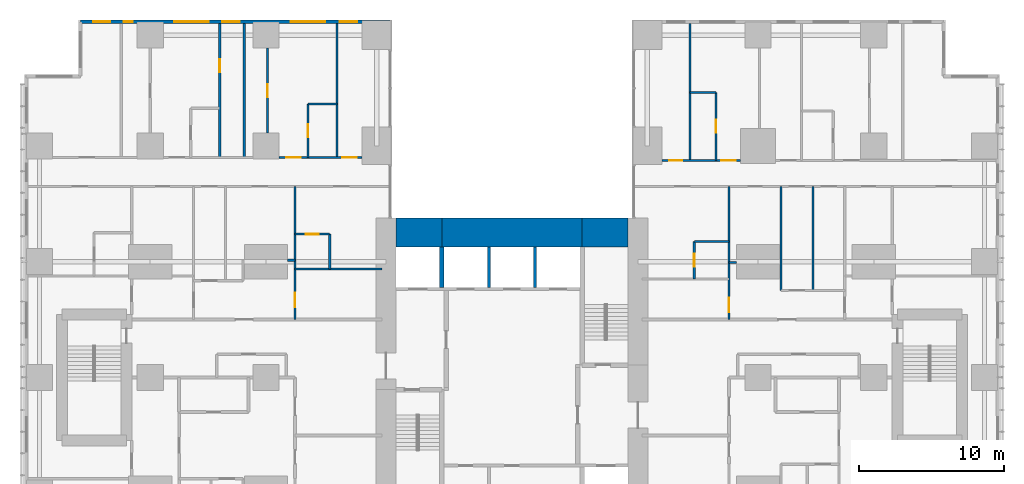
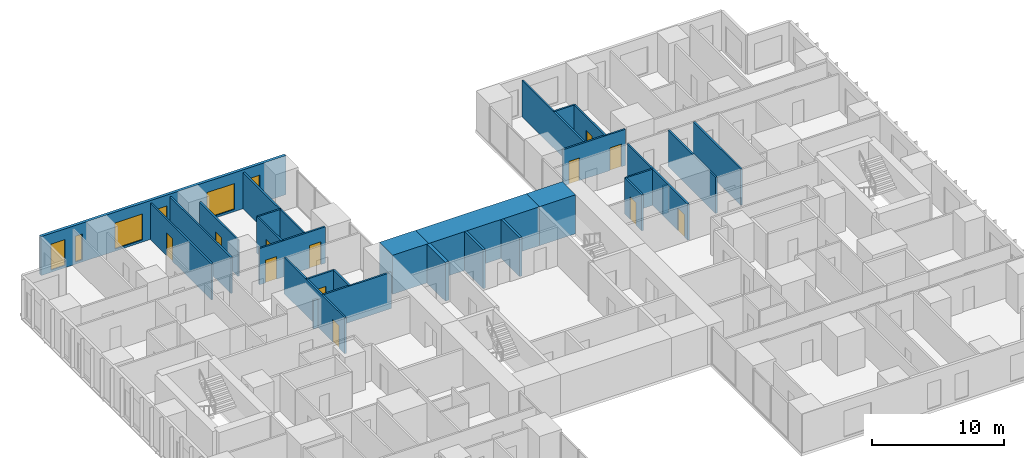
# One storey, part 17 of 20: 29 walls, 12 doors, 6 windows, 18 openings.
"""IFC4 building model written with IfcOpenShell, lengths in metres."""

from ifc_helpers import new_model, si_unit, direction, frame, frame_2d, origin, place, context, subcontext, project, spatial, rectangle, extrude, material, layer, layer_set, type_object, element, fill, save


model = new_model("IFC4")

# Units and contexts
model_context = context("Model", 3, precision=1e-05, world=origin(), true_north=direction((0.0, 1.0)))
body_context = subcontext(model_context, "Body", "Model", "MODEL_VIEW")
ifc_project = project(units=[si_unit("LENGTHUNIT", "METRE"), si_unit("AREAUNIT", "SQUARE_METRE"), si_unit("VOLUMEUNIT", "CUBIC_METRE"), si_unit("PLANEANGLEUNIT", "RADIAN"), si_unit("MASSUNIT", "GRAM", prefix="KILO")], contexts=[model_context])

# Site, building, storey
site_placement = place(None, origin())
site = spatial("IfcSite", under=ifc_project, at=site_placement, CompositionType="ELEMENT")
building_placement = place(site_placement, origin())
building = spatial("IfcBuilding", under=site, at=building_placement, Name="Cleftline Residences", CompositionType="ELEMENT")
storey_placement = place(building_placement, frame((0.0, 0.0, 207.39990234375)))
storey = spatial("IfcBuildingStorey", under=building, at=storey_placement, Name="L54", CompositionType="ELEMENT", Elevation=207.39990234375)

# Walls
ifc_material_1 = material(Name="Concrete B70", Category="concrete")
ifc_layer_1 = layer(ifc_material_1, 2.0)
ifc_layer_set_1 = layer_set([ifc_layer_1], Name="CORE WALL 2000")
wall_type_1 = type_object("IfcWallType", Name="CORE WALL 2000", PredefinedType="SHEAR", material=ifc_layer_set_1)
wall_1_placement = place(storey_placement, frame((25.0, 34.0, 0.0), z_axis=(0.0, 0.0, 1.0), x_axis=(1.0, 0.0, 0.0)))
element("IfcWall", 1, at=wall_1_placement, inside=storey, type_object=wall_type_1, Name="Core wall N1", PredefinedType="SHEAR", context=body_context, shape_type="SweptSolid", body=[
    extrude(rectangle(XDim=3.14990234375, YDim=2.0, at=frame_2d((1.574951171875, 0.0))), origin(), (0.0, 0.0, 1.0), 3.60009765625),
])
wall_2_placement = place(storey_placement, frame((28.14990234375, 34.0, 0.0), z_axis=(0.0, 0.0, 1.0), x_axis=(1.0, 0.0, 0.0)))
element("IfcWall", 2, at=wall_2_placement, inside=storey, type_object=wall_type_1, Name="Core wall N2", PredefinedType="SHEAR", context=body_context, shape_type="SweptSolid", body=[
    extrude(rectangle(XDim=9.7001953125, YDim=2.0, at=frame_2d((4.85009765625, 0.0))), origin(), (0.0, 0.0, 1.0), 3.60009765625),
])
wall_3_placement = place(storey_placement, frame((37.85009765625, 34.0, 0.0), z_axis=(0.0, 0.0, 1.0), x_axis=(1.0, 0.0, 0.0)))
element("IfcWall", 3, at=wall_3_placement, inside=storey, type_object=wall_type_1, Name="Core wall N3", PredefinedType="SHEAR", context=body_context, shape_type="SweptSolid", body=[
    extrude(rectangle(XDim=3.14990234375, YDim=2.0, at=frame_2d((1.574951171875, 0.0))), origin(), (0.0, 0.0, 1.0), 3.60009765625),
])
ifc_material_2 = material(Name="Concrete B70", Category="concrete")
ifc_layer_2 = layer(ifc_material_2, 0.300048828125)
ifc_layer_set_2 = layer_set([ifc_layer_2], Name="CORE WALL 300")
wall_type_2 = type_object("IfcWallType", Name="CORE WALL 300", PredefinedType="SHEAR", material=ifc_layer_set_2)
wall_4_placement = place(storey_placement, frame((28.14990234375, 30.199951171875, 0.0), z_axis=(0.0, 0.0, 1.0), x_axis=(0.0, 1.0, 0.0)))
element("IfcWall", 4, at=wall_4_placement, inside=storey, type_object=wall_type_2, Name="Lift shaft wall", PredefinedType="SHEAR", context=body_context, shape_type="SweptSolid", body=[
    extrude(rectangle(XDim=2.800048828125, YDim=0.300048828125, at=frame_2d((1.39990234375, 0.0))), origin(), (0.0, 0.0, 1.0), 3.60009765625),
])

# Wall, openings, windows
ifc_material_3 = material(Name="Rendered reinforced concrete blockwork", Category="masonry")
ifc_layer_3 = layer(ifc_material_3, 0.25)
ifc_layer_set_3 = layer_set([ifc_layer_3], Name="EXTERNAL WALL 250")
wall_type_3 = type_object("IfcWallType", Name="EXTERNAL WALL 250", PredefinedType="SOLIDWALL", material=ifc_layer_set_3)
wall_5_placement = place(storey_placement, frame((24.574951171875, 48.574951171875, 0.0), z_axis=(0.0, 0.0, 1.0), x_axis=(-1.0, 0.0, 0.0)))
wall_5 = element("IfcWall", 5, at=wall_5_placement, inside=storey, type_object=wall_type_3, Name="External wall", PredefinedType="SOLIDWALL", context=body_context, shape_type="SweptSolid", body=[
    extrude(rectangle(XDim=21.39990234375, YDim=0.25, at=frame_2d((10.699951171875, 0.0))), origin(), (0.0, 0.0, 1.0), 3.60009765625),
])
opening_1_placement = place(wall_5_placement, frame((2.27490234375, 0.0, 0.199951171875)))
opening_1 = element("IfcOpeningElement", 6, at=opening_1_placement, cuts=wall_5, Name="Opening W13", PredefinedType="OPENING", context=body_context, shape_type="SweptSolid", body=[
    extrude(rectangle(XDim=1.199951171875, YDim=2.39990234375, at=frame_2d((0.60009765625, 1.199951171875))), frame((0.0, 0.135009765625, 0.0), z_axis=(0.0, -1.0, 0.0), x_axis=(1.0, 0.0, 0.0)), (0.0, 0.0, 1.0), 0.27001953125),
])
opening_2_placement = place(wall_5_placement, frame((4.47509765625, 0.0, 0.199951171875)))
opening_2 = element("IfcOpeningElement", 7, at=opening_2_placement, cuts=wall_5, Name="Opening W9", PredefinedType="OPENING", context=body_context, shape_type="SweptSolid", body=[
    extrude(rectangle(XDim=2.39990234375, YDim=2.39990234375, at=frame_2d((1.199951171875, 1.199951171875))), frame((0.0, 0.135009765625, 0.0), z_axis=(0.0, -1.0, 0.0), x_axis=(1.0, 0.0, 0.0)), (0.0, 0.0, 1.0), 0.27001953125),
])
opening_3_placement = place(wall_5_placement, frame((10.39990234375, 0.0, 0.199951171875)))
opening_3 = element("IfcOpeningElement", 8, at=opening_3_placement, cuts=wall_5, Name="Opening W13", PredefinedType="OPENING", context=body_context, shape_type="SweptSolid", body=[
    extrude(rectangle(XDim=1.199951171875, YDim=2.39990234375, at=frame_2d((0.60009765625, 1.199951171875))), frame((0.0, 0.135009765625, 0.0), z_axis=(0.0, -1.0, 0.0), x_axis=(1.0, 0.0, 0.0)), (0.0, 0.0, 1.0), 0.27001953125),
])
opening_4_placement = place(wall_5_placement, frame((12.52490234375, 0.0, 0.199951171875)))
opening_4 = element("IfcOpeningElement", 9, at=opening_4_placement, cuts=wall_5, Name="Opening W9", PredefinedType="OPENING", context=body_context, shape_type="SweptSolid", body=[
    extrude(rectangle(XDim=2.39990234375, YDim=2.39990234375, at=frame_2d((1.199951171875, 1.199951171875))), frame((0.0, 0.135009765625, 0.0), z_axis=(0.0, -1.0, 0.0), x_axis=(1.0, 0.0, 0.0)), (0.0, 0.0, 1.0), 0.27001953125),
])
opening_5_placement = place(wall_5_placement, frame((17.800048828125, 0.0, 0.199951171875)))
opening_5 = element("IfcOpeningElement", 10, at=opening_5_placement, cuts=wall_5, Name="Opening W14", PredefinedType="OPENING", context=body_context, shape_type="SweptSolid", body=[
    extrude(rectangle(XDim=0.60009765625, YDim=2.39990234375, at=frame_2d((0.300048828125, 1.199951171875))), frame((0.0, 0.135009765625, 0.0), z_axis=(0.0, -1.0, 0.0), x_axis=(1.0, 0.0, 0.0)), (0.0, 0.0, 1.0), 0.27001953125),
])
opening_6_placement = place(wall_5_placement, frame((19.324951171875, 0.0, 0.199951171875)))
opening_6 = element("IfcOpeningElement", 11, at=opening_6_placement, cuts=wall_5, Name="Opening W13", PredefinedType="OPENING", context=body_context, shape_type="SweptSolid", body=[
    extrude(rectangle(XDim=1.199951171875, YDim=2.39990234375, at=frame_2d((0.60009765625, 1.199951171875))), frame((0.0, 0.135009765625, 0.0), z_axis=(0.0, -1.0, 0.0), x_axis=(1.0, 0.0, 0.0)), (0.0, 0.0, 1.0), 0.27001953125),
])
ifc_material_4 = material(Name="Aluminium frame, clear double glazing", Category="aluminium")
window_type_1 = type_object("IfcWindowType", Name="WINDOW 1200X2400", PartitioningType="DOUBLE_PANEL_VERTICAL", PredefinedType="WINDOW", material=ifc_material_4)
window_1_placement = place(opening_1_placement, origin())
window_1 = element("IfcWindow", 12, at=window_1_placement, inside=storey, type_object=window_type_1, Name="Window", OverallHeight=2.39990234375, OverallWidth=1.199951171875, PartitioningType="SINGLE_PANEL", PredefinedType="WINDOW", context=body_context, shape_type="SweptSolid", body=[
    extrude(rectangle(XDim=1.199951171875, YDim=2.39990234375, at=frame_2d((0.60009765625, 1.199951171875))), frame((0.0, 0.030029296875, 0.0), z_axis=(0.0, -1.0, 0.0), x_axis=(1.0, 0.0, 0.0)), (0.0, 0.0, 1.0), 0.06005859375),
])
fill(opening_1, window_1)
window_2_placement = place(opening_3_placement, origin())
window_2 = element("IfcWindow", 13, at=window_2_placement, inside=storey, type_object=window_type_1, Name="Window", OverallHeight=2.39990234375, OverallWidth=1.199951171875, PartitioningType="SINGLE_PANEL", PredefinedType="WINDOW", context=body_context, shape_type="SweptSolid", body=[
    extrude(rectangle(XDim=1.199951171875, YDim=2.39990234375, at=frame_2d((0.60009765625, 1.199951171875))), frame((0.0, 0.030029296875, 0.0), z_axis=(0.0, -1.0, 0.0), x_axis=(1.0, 0.0, 0.0)), (0.0, 0.0, 1.0), 0.06005859375),
])
fill(opening_3, window_2)
window_3_placement = place(opening_6_placement, origin())
window_3 = element("IfcWindow", 14, at=window_3_placement, inside=storey, type_object=window_type_1, Name="Window", OverallHeight=2.39990234375, OverallWidth=1.199951171875, PartitioningType="SINGLE_PANEL", PredefinedType="WINDOW", context=body_context, shape_type="SweptSolid", body=[
    extrude(rectangle(XDim=1.199951171875, YDim=2.39990234375, at=frame_2d((0.60009765625, 1.199951171875))), frame((0.0, 0.030029296875, 0.0), z_axis=(0.0, -1.0, 0.0), x_axis=(1.0, 0.0, 0.0)), (0.0, 0.0, 1.0), 0.06005859375),
])
fill(opening_6, window_3)
ifc_material_5 = material(Name="Aluminium frame, clear double glazing", Category="aluminium")
window_type_2 = type_object("IfcWindowType", Name="WINDOW 2400X2400", PartitioningType="DOUBLE_PANEL_VERTICAL", PredefinedType="WINDOW", material=ifc_material_5)
window_4_placement = place(opening_2_placement, origin())
window_4 = element("IfcWindow", 15, at=window_4_placement, inside=storey, type_object=window_type_2, Name="Window", OverallHeight=2.39990234375, OverallWidth=2.39990234375, PartitioningType="SINGLE_PANEL", PredefinedType="WINDOW", context=body_context, shape_type="SweptSolid", body=[
    extrude(rectangle(XDim=2.39990234375, YDim=2.39990234375, at=frame_2d((1.199951171875, 1.199951171875))), frame((0.0, 0.030029296875, 0.0), z_axis=(0.0, -1.0, 0.0), x_axis=(1.0, 0.0, 0.0)), (0.0, 0.0, 1.0), 0.06005859375),
])
fill(opening_2, window_4)
window_5_placement = place(opening_4_placement, origin())
window_5 = element("IfcWindow", 16, at=window_5_placement, inside=storey, type_object=window_type_2, Name="Window", OverallHeight=2.39990234375, OverallWidth=2.39990234375, PartitioningType="SINGLE_PANEL", PredefinedType="WINDOW", context=body_context, shape_type="SweptSolid", body=[
    extrude(rectangle(XDim=2.39990234375, YDim=2.39990234375, at=frame_2d((1.199951171875, 1.199951171875))), frame((0.0, 0.030029296875, 0.0), z_axis=(0.0, -1.0, 0.0), x_axis=(1.0, 0.0, 0.0)), (0.0, 0.0, 1.0), 0.06005859375),
])
fill(opening_4, window_5)
ifc_material_6 = material(Name="Aluminium frame, clear double glazing", Category="aluminium")
window_type_3 = type_object("IfcWindowType", Name="WINDOW 600X2400", PartitioningType="DOUBLE_PANEL_VERTICAL", PredefinedType="WINDOW", material=ifc_material_6)
window_6_placement = place(opening_5_placement, origin())
window_6 = element("IfcWindow", 17, at=window_6_placement, inside=storey, type_object=window_type_3, Name="Window", OverallHeight=2.39990234375, OverallWidth=0.60009765625, PartitioningType="SINGLE_PANEL", PredefinedType="WINDOW", context=body_context, shape_type="SweptSolid", body=[
    extrude(rectangle(XDim=0.60009765625, YDim=2.39990234375, at=frame_2d((0.300048828125, 1.199951171875))), frame((0.0, 0.030029296875, 0.0), z_axis=(0.0, -1.0, 0.0), x_axis=(1.0, 0.0, 0.0)), (0.0, 0.0, 1.0), 0.06005859375),
])
fill(opening_5, window_6)

# Walls
ifc_material_7 = material(Name="Gypsum board on steel studs", Category="steel")
ifc_layer_4 = layer(ifc_material_7, 0.14990234375)
ifc_layer_set_4 = layer_set([ifc_layer_4], Name="PARTITION 150")
wall_type_4 = type_object("IfcWallType", Name="PARTITION 150", PredefinedType="PARTITIONING", material=ifc_layer_set_4)
wall_6_placement = place(storey_placement, frame((18.0, 31.5, 0.0), z_axis=(0.0, 0.0, 1.0), x_axis=(1.0, 0.0, 0.0)))
element("IfcWall", 18, at=wall_6_placement, inside=storey, type_object=wall_type_4, Name="Partition", PredefinedType="PARTITIONING", context=body_context, shape_type="SweptSolid", body=[
    extrude(rectangle(XDim=6.0, YDim=0.14990234375, at=frame_2d((3.0, 0.0))), origin(), (0.0, 0.0, 1.0), 3.35009765625),
])
for number, where, z_axis, x_axis, name in (
    (19, (48.0, 31.949951171875, 0.0), (0.0, 0.0, 1.0), (1.0, 0.0, 0.0), "Partition"),
    (20, (17.5, 32.10009765625, 0.0), (0.0, 0.0, 1.0), (1.0, 0.0, 0.0), "Partition"),
):
    element("IfcWall", number, at=place(storey_placement, frame(where, z_axis=z_axis, x_axis=x_axis)), inside=storey, type_object=wall_type_4, Name=name, PredefinedType="PARTITIONING", context=body_context, shape_type="SweptSolid", body=[
        extrude(rectangle(XDim=0.5, YDim=0.14990234375, at=frame_2d((0.25, 0.0))), origin(), (0.0, 0.0, 1.0), 2.634033203125),
    ])
wall_7_placement = place(storey_placement, frame((45.60009765625, 33.39990234375, 0.0), z_axis=(0.0, 0.0, 1.0), x_axis=(1.0, 0.0, 0.0)))
element("IfcWall", 21, at=wall_7_placement, inside=storey, type_object=wall_type_4, Name="Partition", PredefinedType="PARTITIONING", context=body_context, shape_type="SweptSolid", body=[
    extrude(rectangle(XDim=2.39990234375, YDim=0.14990234375, at=frame_2d((1.199951171875, 0.0))), origin(), (0.0, 0.0, 1.0), 3.35009765625),
])

# Wall, opening, door
wall_8_placement = place(storey_placement, frame((18.0, 33.89990234375, 0.0), z_axis=(0.0, 0.0, 1.0), x_axis=(1.0, 0.0, 0.0)))
wall_8 = element("IfcWall", 22, at=wall_8_placement, inside=storey, type_object=wall_type_4, Name="Partition", PredefinedType="PARTITIONING", context=body_context, shape_type="SweptSolid", body=[
    extrude(rectangle(XDim=2.39990234375, YDim=0.14990234375, at=frame_2d((1.199951171875, 0.0))), origin(), (0.0, 0.0, 1.0), 3.35009765625),
])
opening_7_placement = place(wall_8_placement, frame((0.75, 0.0, 0.0)))
opening_7 = element("IfcOpeningElement", 23, at=opening_7_placement, cuts=wall_8, Name="Opening D1", PredefinedType="OPENING", context=body_context, shape_type="SweptSolid", body=[
    extrude(rectangle(XDim=0.89990234375, YDim=2.10009765625, at=frame_2d((0.449951171875, 1.050048828125))), frame((0.0, 0.0849609375, 0.0), z_axis=(0.0, -1.0, 0.0), x_axis=(1.0, 0.0, 0.0)), (0.0, 0.0, 1.0), 0.169921875),
])
ifc_material_8 = material(Name="Timber veneer on solid core", Category="wood")
door_type_1 = type_object("IfcDoorType", Name="DOOR 900X2100", OperationType="SINGLE_SWING_LEFT", PredefinedType="DOOR", material=ifc_material_8)
door_1_placement = place(opening_7_placement, origin())
door_1 = element("IfcDoor", 24, at=door_1_placement, inside=storey, type_object=door_type_1, Name="Door to staff shower room", OperationType="SINGLE_SWING_LEFT", OverallHeight=2.10009765625, OverallWidth=0.89990234375, PredefinedType="DOOR", context=body_context, shape_type="SweptSolid", body=[
    extrude(rectangle(XDim=0.89990234375, YDim=2.10009765625, at=frame_2d((0.449951171875, 1.050048828125))), frame((0.0, 0.02490234375, 0.0), z_axis=(0.0, -1.0, 0.0), x_axis=(1.0, 0.0, 0.0)), (0.0, 0.0, 1.0), 0.050048828125),
])
fill(opening_7, door_1)

# Wall, openings, doors
wall_9_placement = place(storey_placement, frame((43.35009765625, 39.0, 0.0), z_axis=(0.0, 0.0, 1.0), x_axis=(1.0, 0.0, 0.0)))
wall_9 = element("IfcWall", 25, at=wall_9_placement, inside=storey, type_object=wall_type_4, Name="Partition", PredefinedType="PARTITIONING", context=body_context, shape_type="SweptSolid", body=[
    extrude(rectangle(XDim=5.449951171875, YDim=0.14990234375, at=frame_2d((2.72509765625, 0.0))), origin(), (0.0, 0.0, 1.0), 3.35009765625),
])
opening_8_placement = place(wall_9_placement, frame((4.10009765625, 0.0, 0.0)))
opening_8 = element("IfcOpeningElement", 26, at=opening_8_placement, cuts=wall_9, Name="Opening D2", PredefinedType="OPENING", context=body_context, shape_type="SweptSolid", body=[
    extrude(rectangle(XDim=1.0, YDim=2.10009765625, at=frame_2d((0.5, 1.050048828125))), frame((0.0, 0.0849609375, 0.0), z_axis=(0.0, -1.0, 0.0), x_axis=(1.0, 0.0, 0.0)), (0.0, 0.0, 1.0), 0.169921875),
])
opening_9_placement = place(wall_9_placement, frame((0.52490234375, 0.0, 0.0)))
opening_9 = element("IfcOpeningElement", 27, at=opening_9_placement, cuts=wall_9, Name="Opening D1", PredefinedType="OPENING", context=body_context, shape_type="SweptSolid", body=[
    extrude(rectangle(XDim=0.89990234375, YDim=2.10009765625, at=frame_2d((0.449951171875, 1.050048828125))), frame((0.0, 0.0849609375, 0.0), z_axis=(0.0, -1.0, 0.0), x_axis=(1.0, 0.0, 0.0)), (0.0, 0.0, 1.0), 0.169921875),
])
ifc_material_9 = material(Name="Timber veneer on solid core", Category="wood")
door_type_2 = type_object("IfcDoorType", Name="DOOR 1000X2100", OperationType="SINGLE_SWING_LEFT", PredefinedType="DOOR", material=ifc_material_9)
door_2_placement = place(opening_8_placement, origin())
door_2 = element("IfcDoor", 28, at=door_2_placement, inside=storey, type_object=door_type_2, Name="Door to bedroom 3", OperationType="SINGLE_SWING_LEFT", OverallHeight=2.10009765625, OverallWidth=1.0, PredefinedType="DOOR", context=body_context, shape_type="SweptSolid", body=[
    extrude(rectangle(XDim=1.0, YDim=2.10009765625, at=frame_2d((0.5, 1.050048828125))), frame((0.0, 0.02490234375, 0.0), z_axis=(0.0, -1.0, 0.0), x_axis=(1.0, 0.0, 0.0)), (0.0, 0.0, 1.0), 0.050048828125),
])
fill(opening_8, door_2)
door_3_placement = place(opening_9_placement, origin())
door_3 = element("IfcDoor", 29, at=door_3_placement, inside=storey, type_object=door_type_1, Name="Door to dressing room", OperationType="SINGLE_SWING_RIGHT", OverallHeight=2.10009765625, OverallWidth=0.89990234375, PredefinedType="DOOR", context=body_context, shape_type="SweptSolid", body=[
    extrude(rectangle(XDim=0.89990234375, YDim=2.10009765625, at=frame_2d((0.449951171875, 1.050048828125))), frame((0.0, 0.02490234375, 0.0), z_axis=(0.0, -1.0, 0.0), x_axis=(1.0, 0.0, 0.0)), (0.0, 0.0, 1.0), 0.050048828125),
])
fill(opening_9, door_3)

wall_10_placement = place(storey_placement, frame((16.89990234375, 39.199951171875, 0.0), z_axis=(0.0, 0.0, 1.0), x_axis=(1.0, 0.0, 0.0)))
wall_10 = element("IfcWall", 30, at=wall_10_placement, inside=storey, type_object=wall_type_4, Name="Partition", PredefinedType="PARTITIONING", context=body_context, shape_type="SweptSolid", body=[
    extrude(rectangle(XDim=5.75, YDim=0.14990234375, at=frame_2d((2.875, 0.0))), origin(), (0.0, 0.0, 1.0), 3.35009765625),
])
opening_10_placement = place(wall_10_placement, frame((0.5, 0.0, 0.0)))
opening_10 = element("IfcOpeningElement", 31, at=opening_10_placement, cuts=wall_10, Name="Opening D2", PredefinedType="OPENING", context=body_context, shape_type="SweptSolid", body=[
    extrude(rectangle(XDim=1.0, YDim=2.10009765625, at=frame_2d((0.5, 1.050048828125))), frame((0.0, 0.0849609375, 0.0), z_axis=(0.0, -1.0, 0.0), x_axis=(1.0, 0.0, 0.0)), (0.0, 0.0, 1.0), 0.169921875),
])
opening_11_placement = place(wall_10_placement, frame((4.375, 0.0, 0.0)))
opening_11 = element("IfcOpeningElement", 32, at=opening_11_placement, cuts=wall_10, Name="Opening D2", PredefinedType="OPENING", context=body_context, shape_type="SweptSolid", body=[
    extrude(rectangle(XDim=1.0, YDim=2.10009765625, at=frame_2d((0.5, 1.050048828125))), frame((0.0, 0.0849609375, 0.0), z_axis=(0.0, -1.0, 0.0), x_axis=(1.0, 0.0, 0.0)), (0.0, 0.0, 1.0), 0.169921875),
])
door_4_placement = place(opening_10_placement, origin())
door_4 = element("IfcDoor", 33, at=door_4_placement, inside=storey, type_object=door_type_2, Name="Door to bedroom 3", OperationType="SINGLE_SWING_RIGHT", OverallHeight=2.10009765625, OverallWidth=1.0, PredefinedType="DOOR", context=body_context, shape_type="SweptSolid", body=[
    extrude(rectangle(XDim=1.0, YDim=2.10009765625, at=frame_2d((0.5, 1.050048828125))), frame((0.0, 0.02490234375, 0.0), z_axis=(0.0, -1.0, 0.0), x_axis=(1.0, 0.0, 0.0)), (0.0, 0.0, 1.0), 0.050048828125),
])
fill(opening_10, door_4)
door_5_placement = place(opening_11_placement, origin())
door_5 = element("IfcDoor", 34, at=door_5_placement, inside=storey, type_object=door_type_2, Name="Door to bedroom 3 sitting room", OperationType="SINGLE_SWING_LEFT", OverallHeight=2.10009765625, OverallWidth=1.0, PredefinedType="DOOR", context=body_context, shape_type="SweptSolid", body=[
    extrude(rectangle(XDim=1.0, YDim=2.10009765625, at=frame_2d((0.5, 1.050048828125))), frame((0.0, 0.02490234375, 0.0), z_axis=(0.0, -1.0, 0.0), x_axis=(1.0, 0.0, 0.0)), (0.0, 0.0, 1.0), 0.050048828125),
])
fill(opening_11, door_5)

# Walls
wall_11_placement = place(storey_placement, frame((18.89990234375, 42.89990234375, 0.0), z_axis=(0.0, 0.0, 1.0), x_axis=(1.0, 0.0, 0.0)))
element("IfcWall", 35, at=wall_11_placement, inside=storey, type_object=wall_type_4, Name="Partition", PredefinedType="PARTITIONING", context=body_context, shape_type="SweptSolid", body=[
    extrude(rectangle(XDim=2.0, YDim=0.14990234375, at=frame_2d((1.0, 0.0))), origin(), (0.0, 0.0, 1.0), 3.35009765625),
])
wall_12_placement = place(storey_placement, frame((45.300048828125, 43.699951171875, 0.0), z_axis=(0.0, 0.0, 1.0), x_axis=(1.0, 0.0, 0.0)))
element("IfcWall", 36, at=wall_12_placement, inside=storey, type_object=wall_type_4, Name="Partition", PredefinedType="PARTITIONING", context=body_context, shape_type="SweptSolid", body=[
    extrude(rectangle(XDim=1.800048828125, YDim=0.14990234375, at=frame_2d((0.89990234375, 0.0))), origin(), (0.0, 0.0, 1.0), 3.35009765625),
])

# Wall, opening, door
wall_13_placement = place(storey_placement, frame((12.800048828125, 39.199951171875, 0.0), z_axis=(0.0, 0.0, 1.0), x_axis=(0.0, 1.0, 0.0)))
wall_13 = element("IfcWall", 37, at=wall_13_placement, inside=storey, type_object=wall_type_4, Name="Partition", PredefinedType="PARTITIONING", context=body_context, shape_type="SweptSolid", body=[
    extrude(rectangle(XDim=9.25, YDim=0.14990234375, at=frame_2d((4.625, 0.0))), origin(), (0.0, 0.0, 1.0), 3.35009765625),
])
opening_12_placement = place(wall_13_placement, frame((5.875, 0.0, 0.0)))
opening_12 = element("IfcOpeningElement", 38, at=opening_12_placement, cuts=wall_13, Name="Opening D1", PredefinedType="OPENING", context=body_context, shape_type="SweptSolid", body=[
    extrude(rectangle(XDim=0.89990234375, YDim=2.10009765625, at=frame_2d((0.449951171875, 1.050048828125))), frame((0.0, 0.0849609375, 0.0), z_axis=(0.0, -1.0, 0.0), x_axis=(1.0, 0.0, 0.0)), (0.0, 0.0, 1.0), 0.169921875),
])
door_6_placement = place(opening_12_placement, origin())
door_6 = element("IfcDoor", 39, at=door_6_placement, inside=storey, type_object=door_type_1, Name="Door to walk-in wardrobe", OperationType="SINGLE_SWING_LEFT", OverallHeight=2.10009765625, OverallWidth=0.89990234375, PredefinedType="DOOR", context=body_context, shape_type="SweptSolid", body=[
    extrude(rectangle(XDim=0.89990234375, YDim=2.10009765625, at=frame_2d((0.449951171875, 1.050048828125))), frame((0.0, 0.02490234375, 0.0), z_axis=(0.0, -1.0, 0.0), x_axis=(1.0, 0.0, 0.0)), (0.0, 0.0, 1.0), 0.050048828125),
])
fill(opening_12, door_6)

# Wall
wall_14_placement = place(storey_placement, frame((14.5, 39.199951171875, 0.0), z_axis=(0.0, 0.0, 1.0), x_axis=(0.0, 1.0, 0.0)))
element("IfcWall", 40, at=wall_14_placement, inside=storey, type_object=wall_type_4, Name="Partition", PredefinedType="PARTITIONING", context=body_context, shape_type="SweptSolid", body=[
    extrude(rectangle(XDim=9.25, YDim=0.14990234375, at=frame_2d((4.625, 0.0))), origin(), (0.0, 0.0, 1.0), 3.35009765625),
])

# Wall, opening, door
wall_15_placement = place(storey_placement, frame((16.10009765625, 40.89990234375, 0.0), z_axis=(0.0, 0.0, 1.0), x_axis=(0.0, 1.0, 0.0)))
wall_15 = element("IfcWall", 41, at=wall_15_placement, inside=storey, type_object=wall_type_4, Name="Partition", PredefinedType="PARTITIONING", context=body_context, shape_type="SweptSolid", body=[
    extrude(rectangle(XDim=5.85009765625, YDim=0.14990234375, at=frame_2d((2.925048828125, 0.0))), origin(), (0.0, 0.0, 1.0), 3.35009765625),
])
opening_13_placement = place(wall_15_placement, frame((2.47509765625, 0.0, 0.0)))
opening_13 = element("IfcOpeningElement", 42, at=opening_13_placement, cuts=wall_15, Name="Opening D1", PredefinedType="OPENING", context=body_context, shape_type="SweptSolid", body=[
    extrude(rectangle(XDim=0.89990234375, YDim=2.10009765625, at=frame_2d((0.449951171875, 1.050048828125))), frame((0.0, 0.0849609375, 0.0), z_axis=(0.0, -1.0, 0.0), x_axis=(1.0, 0.0, 0.0)), (0.0, 0.0, 1.0), 0.169921875),
])
door_7_placement = place(opening_13_placement, origin())
door_7 = element("IfcDoor", 43, at=door_7_placement, inside=storey, type_object=door_type_1, Name="Door to walk-in wardrobe", OperationType="SINGLE_SWING_LEFT", OverallHeight=2.10009765625, OverallWidth=0.89990234375, PredefinedType="DOOR", context=body_context, shape_type="SweptSolid", body=[
    extrude(rectangle(XDim=0.89990234375, YDim=2.10009765625, at=frame_2d((0.449951171875, 1.050048828125))), frame((0.0, 0.02490234375, 0.0), z_axis=(0.0, -1.0, 0.0), x_axis=(1.0, 0.0, 0.0)), (0.0, 0.0, 1.0), 0.050048828125),
])
fill(opening_13, door_7)

wall_16_placement = place(storey_placement, frame((18.0, 28.0, 0.0), z_axis=(0.0, 0.0, 1.0), x_axis=(0.0, 1.0, 0.0)))
wall_16 = element("IfcWall", 44, at=wall_16_placement, inside=storey, type_object=wall_type_4, Name="Partition", PredefinedType="PARTITIONING", context=body_context, shape_type="SweptSolid", body=[
    extrude(rectangle(XDim=9.199951171875, YDim=0.14990234375, at=frame_2d((4.60009765625, 0.0))), origin(), (0.0, 0.0, 1.0), 3.35009765625),
])
opening_14_placement = place(wall_16_placement, frame((0.83740234375, 0.0, 0.0)))
opening_14 = element("IfcOpeningElement", 45, at=opening_14_placement, cuts=wall_16, Name="Opening D2", PredefinedType="OPENING", context=body_context, shape_type="SweptSolid", body=[
    extrude(rectangle(XDim=1.0, YDim=2.10009765625, at=frame_2d((0.5, 1.050048828125))), frame((0.0, 0.0849609375, 0.0), z_axis=(0.0, -1.0, 0.0), x_axis=(1.0, 0.0, 0.0)), (0.0, 0.0, 1.0), 0.169921875),
])
door_8_placement = place(opening_14_placement, origin())
door_8 = element("IfcDoor", 46, at=door_8_placement, inside=storey, type_object=door_type_2, Name="Door to morning kitchen", OperationType="SINGLE_SWING_RIGHT", OverallHeight=2.10009765625, OverallWidth=1.0, PredefinedType="DOOR", context=body_context, shape_type="SweptSolid", body=[
    extrude(rectangle(XDim=1.0, YDim=2.10009765625, at=frame_2d((0.5, 1.050048828125))), frame((0.0, 0.02490234375, 0.0), z_axis=(0.0, -1.0, 0.0), x_axis=(1.0, 0.0, 0.0)), (0.0, 0.0, 1.0), 0.050048828125),
])
fill(opening_14, door_8)

wall_17_placement = place(storey_placement, frame((18.89990234375, 39.199951171875, 0.0), z_axis=(0.0, 0.0, 1.0), x_axis=(0.0, 1.0, 0.0)))
wall_17 = element("IfcWall", 47, at=wall_17_placement, inside=storey, type_object=wall_type_4, Name="Partition", PredefinedType="PARTITIONING", context=body_context, shape_type="SweptSolid", body=[
    extrude(rectangle(XDim=3.699951171875, YDim=0.14990234375, at=frame_2d((1.85009765625, 0.0))), origin(), (0.0, 0.0, 1.0), 3.35009765625),
])
opening_15_placement = place(wall_17_placement, frame((1.39990234375, 0.0, 0.0)))
opening_15 = element("IfcOpeningElement", 48, at=opening_15_placement, cuts=wall_17, Name="Opening D1", PredefinedType="OPENING", context=body_context, shape_type="SweptSolid", body=[
    extrude(rectangle(XDim=0.89990234375, YDim=2.10009765625, at=frame_2d((0.449951171875, 1.050048828125))), frame((0.0, 0.0849609375, 0.0), z_axis=(0.0, -1.0, 0.0), x_axis=(1.0, 0.0, 0.0)), (0.0, 0.0, 1.0), 0.169921875),
])
door_9_placement = place(opening_15_placement, origin())
door_9 = element("IfcDoor", 49, at=door_9_placement, inside=storey, type_object=door_type_1, Name="Door to en-suite bathroom 3", OperationType="SINGLE_SWING_LEFT", OverallHeight=2.10009765625, OverallWidth=0.89990234375, PredefinedType="DOOR", context=body_context, shape_type="SweptSolid", body=[
    extrude(rectangle(XDim=0.89990234375, YDim=2.10009765625, at=frame_2d((0.449951171875, 1.050048828125))), frame((0.0, 0.02490234375, 0.0), z_axis=(0.0, -1.0, 0.0), x_axis=(1.0, 0.0, 0.0)), (0.0, 0.0, 1.0), 0.050048828125),
])
fill(opening_15, door_9)

# Walls
wall_18_placement = place(storey_placement, frame((20.39990234375, 31.5, 0.0), z_axis=(0.0, 0.0, 1.0), x_axis=(0.0, 1.0, 0.0)))
element("IfcWall", 50, at=wall_18_placement, inside=storey, type_object=wall_type_4, Name="Partition", PredefinedType="PARTITIONING", context=body_context, shape_type="SweptSolid", body=[
    extrude(rectangle(XDim=2.39990234375, YDim=0.14990234375, at=frame_2d((1.199951171875, 0.0))), origin(), (0.0, 0.0, 1.0), 3.35009765625),
])
wall_19_placement = place(storey_placement, frame((20.89990234375, 39.199951171875, 0.0), z_axis=(0.0, 0.0, 1.0), x_axis=(0.0, 1.0, 0.0)))
element("IfcWall", 51, at=wall_19_placement, inside=storey, type_object=wall_type_4, Name="Partition", PredefinedType="PARTITIONING", context=body_context, shape_type="SweptSolid", body=[
    extrude(rectangle(XDim=9.25, YDim=0.14990234375, at=frame_2d((4.625, 0.0))), origin(), (0.0, 0.0, 1.0), 3.35009765625),
])
wall_20_placement = place(storey_placement, frame((45.300048828125, 39.0, 0.0), z_axis=(0.0, 0.0, 1.0), x_axis=(0.0, 1.0, 0.0)))
element("IfcWall", 52, at=wall_20_placement, inside=storey, type_object=wall_type_4, Name="Partition", PredefinedType="PARTITIONING", context=body_context, shape_type="SweptSolid", body=[
    extrude(rectangle(XDim=9.449951171875, YDim=0.14990234375, at=frame_2d((4.72509765625, 0.0))), origin(), (0.0, 0.0, 1.0), 3.35009765625),
])

# Wall, opening, door
wall_21_placement = place(storey_placement, frame((45.60009765625, 30.800048828125, 0.0), z_axis=(0.0, 0.0, 1.0), x_axis=(0.0, 1.0, 0.0)))
wall_21 = element("IfcWall", 53, at=wall_21_placement, inside=storey, type_object=wall_type_4, Name="Partition", PredefinedType="PARTITIONING", context=body_context, shape_type="SweptSolid", body=[
    extrude(rectangle(XDim=2.599853515625, YDim=0.14990234375, at=frame_2d((1.2998046875, 0.0))), origin(), (0.0, 0.0, 1.0), 3.35009765625),
])
opening_16_placement = place(wall_21_placement, frame((0.85009765625, 0.0, 0.0)))
opening_16 = element("IfcOpeningElement", 54, at=opening_16_placement, cuts=wall_21, Name="Opening D1", PredefinedType="OPENING", context=body_context, shape_type="SweptSolid", body=[
    extrude(rectangle(XDim=0.89990234375, YDim=2.10009765625, at=frame_2d((0.449951171875, 1.050048828125))), frame((0.0, 0.0849609375, 0.0), z_axis=(0.0, -1.0, 0.0), x_axis=(1.0, 0.0, 0.0)), (0.0, 0.0, 1.0), 0.169921875),
])
door_10_placement = place(opening_16_placement, origin())
door_10 = element("IfcDoor", 55, at=door_10_placement, inside=storey, type_object=door_type_1, Name="Door to en-suite bathroom 4", OperationType="SINGLE_SWING_LEFT", OverallHeight=2.10009765625, OverallWidth=0.89990234375, PredefinedType="DOOR", context=body_context, shape_type="SweptSolid", body=[
    extrude(rectangle(XDim=0.89990234375, YDim=2.10009765625, at=frame_2d((0.449951171875, 1.050048828125))), frame((0.0, 0.02490234375, 0.0), z_axis=(0.0, -1.0, 0.0), x_axis=(1.0, 0.0, 0.0)), (0.0, 0.0, 1.0), 0.050048828125),
])
fill(opening_16, door_10)

wall_22_placement = place(storey_placement, frame((47.10009765625, 39.0, 0.0), z_axis=(0.0, 0.0, 1.0), x_axis=(0.0, 1.0, 0.0)))
wall_22 = element("IfcWall", 56, at=wall_22_placement, inside=storey, type_object=wall_type_4, Name="Partition", PredefinedType="PARTITIONING", context=body_context, shape_type="SweptSolid", body=[
    extrude(rectangle(XDim=4.699951171875, YDim=0.14990234375, at=frame_2d((2.35009765625, 0.0))), origin(), (0.0, 0.0, 1.0), 3.35009765625),
])
opening_17_placement = place(wall_22_placement, frame((1.89990234375, 0.0, 0.0)))
opening_17 = element("IfcOpeningElement", 57, at=opening_17_placement, cuts=wall_22, Name="Opening D1", PredefinedType="OPENING", context=body_context, shape_type="SweptSolid", body=[
    extrude(rectangle(XDim=0.89990234375, YDim=2.10009765625, at=frame_2d((0.449951171875, 1.050048828125))), frame((0.0, 0.0849609375, 0.0), z_axis=(0.0, -1.0, 0.0), x_axis=(1.0, 0.0, 0.0)), (0.0, 0.0, 1.0), 0.169921875),
])
door_11_placement = place(opening_17_placement, origin())
door_11 = element("IfcDoor", 58, at=door_11_placement, inside=storey, type_object=door_type_1, Name="Door to en-suite bathroom 3", OperationType="SINGLE_SWING_LEFT", OverallHeight=2.10009765625, OverallWidth=0.89990234375, PredefinedType="DOOR", context=body_context, shape_type="SweptSolid", body=[
    extrude(rectangle(XDim=0.89990234375, YDim=2.10009765625, at=frame_2d((0.449951171875, 1.050048828125))), frame((0.0, 0.02490234375, 0.0), z_axis=(0.0, -1.0, 0.0), x_axis=(1.0, 0.0, 0.0)), (0.0, 0.0, 1.0), 0.050048828125),
])
fill(opening_17, door_11)

wall_23_placement = place(storey_placement, frame((48.0, 28.0, 0.0), z_axis=(0.0, 0.0, 1.0), x_axis=(0.0, 1.0, 0.0)))
wall_23 = element("IfcWall", 59, at=wall_23_placement, inside=storey, type_object=wall_type_4, Name="Partition", PredefinedType="PARTITIONING", context=body_context, shape_type="SweptSolid", body=[
    extrude(rectangle(XDim=9.199951171875, YDim=0.14990234375, at=frame_2d((4.60009765625, 0.0))), origin(), (0.0, 0.0, 1.0), 3.35009765625),
])
opening_18_placement = place(wall_23_placement, frame((0.5, 0.0, 0.0)))
opening_18 = element("IfcOpeningElement", 60, at=opening_18_placement, cuts=wall_23, Name="Opening D2", PredefinedType="OPENING", context=body_context, shape_type="SweptSolid", body=[
    extrude(rectangle(XDim=1.0, YDim=2.10009765625, at=frame_2d((0.5, 1.050048828125))), frame((0.0, 0.0849609375, 0.0), z_axis=(0.0, -1.0, 0.0), x_axis=(1.0, 0.0, 0.0)), (0.0, 0.0, 1.0), 0.169921875),
])
door_12_placement = place(opening_18_placement, origin())
door_12 = element("IfcDoor", 61, at=door_12_placement, inside=storey, type_object=door_type_2, Name="Door to morning kitchen", OperationType="SINGLE_SWING_RIGHT", OverallHeight=2.10009765625, OverallWidth=1.0, PredefinedType="DOOR", context=body_context, shape_type="SweptSolid", body=[
    extrude(rectangle(XDim=1.0, YDim=2.10009765625, at=frame_2d((0.5, 1.050048828125))), frame((0.0, 0.02490234375, 0.0), z_axis=(0.0, -1.0, 0.0), x_axis=(1.0, 0.0, 0.0)), (0.0, 0.0, 1.0), 0.050048828125),
])
fill(opening_18, door_12)

# Walls
for number, where, z_axis, x_axis, name in (
    (62, (51.60009765625, 30.0, 0.0), (0.0, 0.0, 1.0), (0.0, 1.0, 0.0), "Partition"),
    (63, (53.800048828125, 30.0, 0.0), (0.0, 0.0, 1.0), (0.0, 1.0, 0.0), "Partition"),
):
    element("IfcWall", number, at=place(storey_placement, frame(where, z_axis=z_axis, x_axis=x_axis)), inside=storey, type_object=wall_type_4, Name=name, PredefinedType="PARTITIONING", context=body_context, shape_type="SweptSolid", body=[
        extrude(rectangle(XDim=7.199951171875, YDim=0.14990234375, at=frame_2d((3.60009765625, 0.0))), origin(), (0.0, 0.0, 1.0), 3.35009765625),
    ])
ifc_material_10 = material(Name="Concrete blockwork, fire rated", Category="masonry")
ifc_layer_5 = layer(ifc_material_10, 0.199951171875)
ifc_layer_set_5 = layer_set([ifc_layer_5], Name="SHAFT WALL 200")
wall_type_5 = type_object("IfcWallType", Name="SHAFT WALL 200", PredefinedType="PARTITIONING", material=ifc_layer_set_5)
for number, where, z_axis, x_axis, name in (
    (64, (31.39990234375, 30.199951171875, 0.0), (0.0, 0.0, 1.0), (0.0, 1.0, 0.0), "Lift shaft wall"),
    (65, (34.60009765625, 30.199951171875, 0.0), (0.0, 0.0, 1.0), (0.0, 1.0, 0.0), "Lift shaft wall"),
):
    element("IfcWall", number, at=place(storey_placement, frame(where, z_axis=z_axis, x_axis=x_axis)), inside=storey, type_object=wall_type_5, Name=name, PredefinedType="PARTITIONING", context=body_context, shape_type="SweptSolid", body=[
        extrude(rectangle(XDim=2.800048828125, YDim=0.199951171875, at=frame_2d((1.39990234375, 0.0))), origin(), (0.0, 0.0, 1.0), 3.60009765625),
    ])

save(model, "model.ifc")
